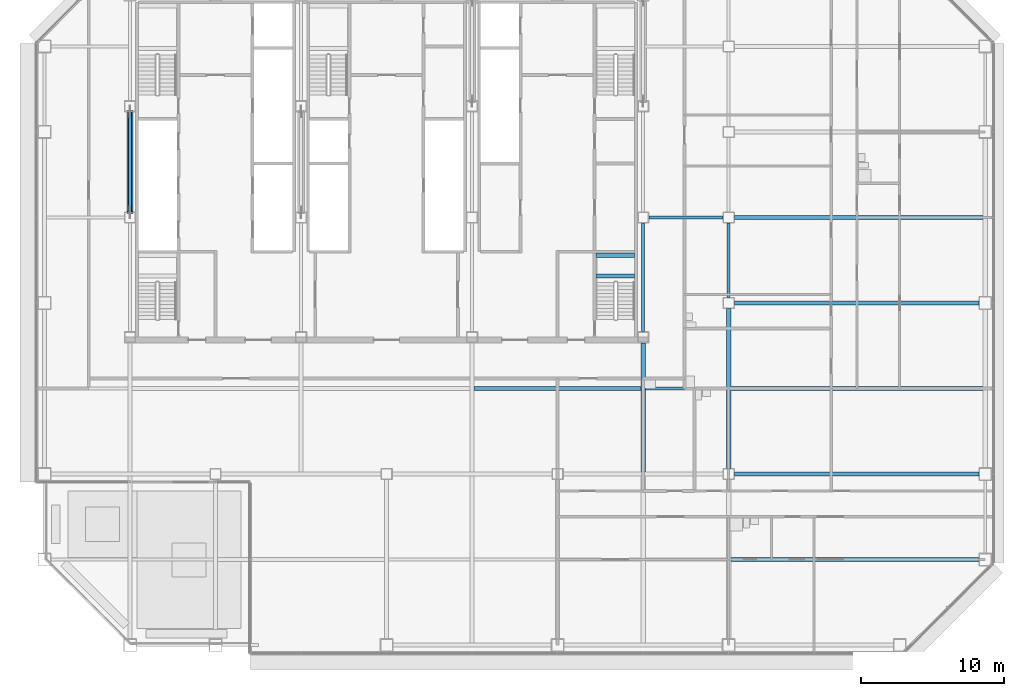
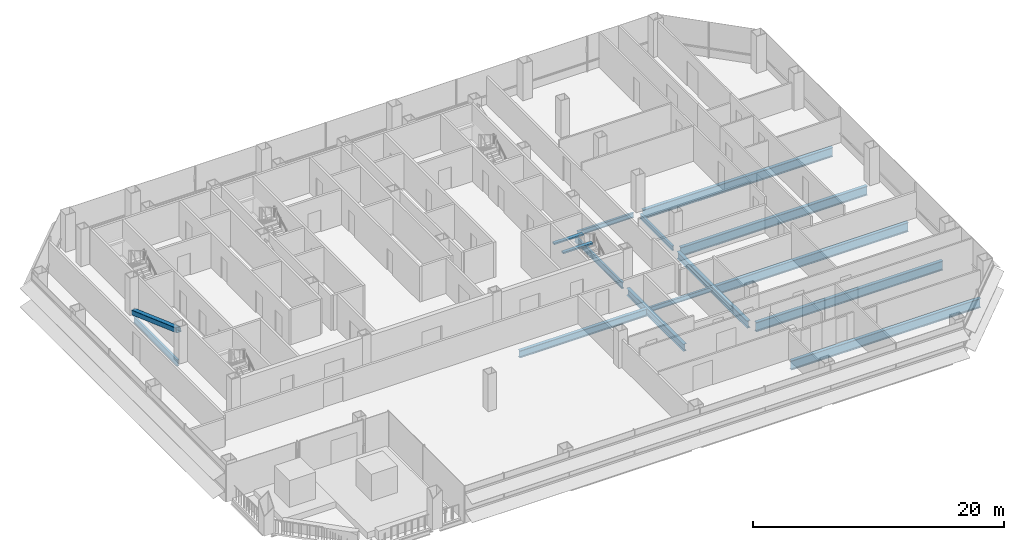
# One storey, part 10 of 28: 15 beams, 1 member.
"""IFC4 building model written with IfcOpenShell, lengths in metres."""

from ifc_helpers import new_model, si_unit, direction, frame, origin, origin_2d, place, context, subcontext, project, spatial, rectangle, hollow_rectangle, i_section, extrude, material, material_profile, profile_set, type_object, element, save


model = new_model("IFC4")

# Units and contexts
model_context = context("Model", 3, precision=1e-05, world=origin(), true_north=direction((0.0, 1.0)))
body_context = subcontext(model_context, "Body", "Model", "MODEL_VIEW")
ifc_project = project(units=[si_unit("LENGTHUNIT", "METRE"), si_unit("AREAUNIT", "SQUARE_METRE"), si_unit("VOLUMEUNIT", "CUBIC_METRE"), si_unit("PLANEANGLEUNIT", "RADIAN"), si_unit("MASSUNIT", "GRAM", prefix="KILO")], contexts=[model_context])

# Site, building, storey
site_placement = place(None, origin())
site = spatial("IfcSite", under=ifc_project, at=site_placement, CompositionType="ELEMENT")
building_placement = place(site_placement, origin())
building = spatial("IfcBuilding", under=site, at=building_placement, Name="Sorahane Residences", CompositionType="ELEMENT")
storey_placement = place(building_placement, frame((0.0, 0.0, 60.60009765625)))
storey = spatial("IfcBuildingStorey", under=building, at=storey_placement, Name="L11", CompositionType="ELEMENT", Elevation=60.60009765625)

# Member
ifc_material_1 = material(Name="Steel Q355B", Category="steel")
ifc_material_profile_1 = material_profile(ifc_material_1, hollow_rectangle(XDim=0.449951171875, YDim=0.449951171875, WallThickness=0.02197265625, InnerFilletRadius=0.010986328125, OuterFilletRadius=0.032958984375, at=origin_2d()), Name="RHS 450x450x22")
ifc_profile_set_1 = profile_set([ifc_material_profile_1], Name="Steel Q355B")
member_type = type_object("IfcMemberType", Name="Core brace RHS 450x450x22 Q355B", PredefinedType="BRACE", material=ifc_profile_set_1)
member_placement = place(storey_placement, frame((6.0, 37.44580078125, 0.20849609375), z_axis=(0.0, -0.940886586011, 0.338721762313), x_axis=(1.0, 0.0, 0.0)))
element("IfcMember", 1, at=member_placement, inside=storey, type_object=member_type, Name="Core brace L11 x6-2", PredefinedType="BRACE", context=body_context, shape_type="SweptSolid", body=[
    extrude(hollow_rectangle(XDim=0.449951171875, YDim=0.449951171875, WallThickness=0.02197265625, InnerFilletRadius=0.010986328125, OuterFilletRadius=0.032958984375, at=origin_2d()), origin(), (0.0, 0.0, 1.0), 7.537109375),
])

# Beams
ifc_material_2 = material(Name="Concrete C40", Category="concrete")
ifc_material_profile_2 = material_profile(ifc_material_2, rectangle(XDim=0.300048828125, YDim=0.139892578125, at=origin_2d()), Name="300x140")
ifc_profile_set_2 = profile_set([ifc_material_profile_2], Name="Concrete C40")
beam_type_1 = type_object("IfcBeamType", Name="RC landing beam 300 x 140 Concrete C40", PredefinedType="BEAM", material=ifc_profile_set_2)
for number, where, z_axis, x_axis, name in (
    (2, (38.699951171875, 25.89990234375, 1.52978515625), (1.0, 0.0, 0.0), (0.0, 1.0, 0.0), "Landing beam"),
    (3, (38.699951171875, 27.35009765625, 1.52978515625), (1.0, 0.0, 0.0), (0.0, 1.0, 0.0), "Landing beam"),
):
    element("IfcBeam", number, at=place(storey_placement, frame(where, z_axis=z_axis, x_axis=x_axis)), inside=storey, type_object=beam_type_1, Name=name, PredefinedType="BEAM", context=body_context, shape_type="SweptSolid", body=[
        extrude(rectangle(XDim=0.300048828125, YDim=0.139892578125, at=origin_2d()), origin(), (0.0, 0.0, 1.0), 2.699951171875),
    ])
ifc_material_3 = material(Name="Steel Q355B", Category="steel")
ifc_material_profile_3 = material_profile(ifc_material_3, i_section(OverallWidth=0.199951171875, OverallDepth=0.449951171875, WebThickness=0.009033203125, FlangeThickness=0.013916015625, FilletRadius=0.02001953125, at=origin_2d()), Name="HN 450x200x9x14")
ifc_profile_set_3 = profile_set([ifc_material_profile_3], Name="Steel Q355B")
beam_type_2 = type_object("IfcBeamType", Name="Steel floor beam HN 450x200x9x14 Q355B", PredefinedType="BEAM", material=ifc_profile_set_3)
beam_1_placement = place(storey_placement, frame((48.0, 24.39990234375, -0.405029296875), z_axis=(0.0, 1.0, 0.0), x_axis=(-1.0, 0.0, 0.0)))
element("IfcBeam", 4, at=beam_1_placement, inside=storey, type_object=beam_type_2, Name="Beam L11 052", PredefinedType="BEAM", context=body_context, shape_type="SweptSolid", body=[
    extrude(i_section(OverallWidth=0.199951171875, OverallDepth=0.449951171875, WebThickness=0.009033203125, FlangeThickness=0.013916015625, FilletRadius=0.02001953125, at=origin_2d()), origin(), (0.0, 0.0, 1.0), 5.2001953125),
])
beam_2_placement = place(storey_placement, frame((42.14990234375, 18.0, -0.405029296875), z_axis=(1.0, 0.0, 0.0), x_axis=(0.0, 1.0, 0.0)))
element("IfcBeam", 5, at=beam_2_placement, inside=storey, type_object=beam_type_2, Name="Beam L11 072", PredefinedType="BEAM", context=body_context, shape_type="SweptSolid", body=[
    extrude(i_section(OverallWidth=0.199951171875, OverallDepth=0.449951171875, WebThickness=0.009033203125, FlangeThickness=0.013916015625, FilletRadius=0.02001953125, at=origin_2d()), origin(), (0.0, 0.0, 1.0), 5.7001953125),
])
beam_3_placement = place(storey_placement, frame((42.39990234375, 30.0, -0.405029296875), z_axis=(1.0, 0.0, 0.0), x_axis=(0.0, 1.0, 0.0)))
element("IfcBeam", 6, at=beam_3_placement, inside=storey, type_object=beam_type_2, Name="Beam L11 075", PredefinedType="BEAM", context=body_context, shape_type="SweptSolid", body=[
    extrude(i_section(OverallWidth=0.199951171875, OverallDepth=0.449951171875, WebThickness=0.009033203125, FlangeThickness=0.013916015625, FilletRadius=0.02001953125, at=origin_2d()), origin(), (0.0, 0.0, 1.0), 5.2001953125),
])
ifc_material_4 = material(Name="Steel Q355B", Category="steel")
ifc_material_profile_4 = material_profile(ifc_material_4, i_section(OverallWidth=0.199951171875, OverallDepth=0.60009765625, WebThickness=0.010986328125, FlangeThickness=0.01708984375, FilletRadius=0.02392578125, at=origin_2d()), Name="HN 600x200x11x17")
ifc_profile_set_4 = profile_set([ifc_material_profile_4], Name="Steel Q355B")
beam_type_3 = type_object("IfcBeamType", Name="Steel floor beam HN 600x200x11x17 Q355B", PredefinedType="BEAM", material=ifc_profile_set_4)
beam_4_placement = place(storey_placement, frame((6.0, 30.39990234375, -0.47998046875), z_axis=(0.0, 1.0, 0.0), x_axis=(-1.0, 0.0, 0.0)))
element("IfcBeam", 7, at=beam_4_placement, inside=storey, type_object=beam_type_3, Name="Beam L11 024", PredefinedType="BEAM", context=body_context, shape_type="SweptSolid", body=[
    extrude(i_section(OverallWidth=0.199951171875, OverallDepth=0.60009765625, WebThickness=0.010986328125, FlangeThickness=0.01708984375, FilletRadius=0.02392578125, at=origin_2d()), origin(), (0.0, 0.0, 1.0), 7.0),
])
beam_5_placement = place(storey_placement, frame((42.0, 22.0, -0.47998046875), z_axis=(0.0, 1.0, 0.0), x_axis=(-1.0, 0.0, 0.0)))
element("IfcBeam", 8, at=beam_5_placement, inside=storey, type_object=beam_type_3, Name="Beam L11 046", PredefinedType="BEAM", context=body_context, shape_type="SweptSolid", body=[
    extrude(i_section(OverallWidth=0.199951171875, OverallDepth=0.60009765625, WebThickness=0.010986328125, FlangeThickness=0.01708984375, FilletRadius=0.02392578125, at=origin_2d()), origin(), (0.0, 0.0, 1.0), 7.60009765625),
])
ifc_material_5 = material(Name="Steel Q355B", Category="steel")
ifc_material_profile_5 = material_profile(ifc_material_5, i_section(OverallWidth=0.300048828125, OverallDepth=0.699951171875, WebThickness=0.012939453125, FlangeThickness=0.02392578125, FilletRadius=0.028076171875, at=origin_2d()), Name="HN 700x300x13x24")
ifc_profile_set_5 = profile_set([ifc_material_profile_5], Name="Steel Q355B")
beam_type_4 = type_object("IfcBeamType", Name="Steel floor beam HN 700x300x13x24 Q355B", PredefinedType="BEAM", material=ifc_profile_set_5)
beam_6_placement = place(storey_placement, frame((42.0, 12.14990234375, -0.530029296875), z_axis=(0.0, 1.0, 0.0), x_axis=(-1.0, 0.0, 0.0)))
element("IfcBeam", 9, at=beam_6_placement, inside=storey, type_object=beam_type_4, Name="Beam L11 045", PredefinedType="BEAM", context=body_context, shape_type="SweptSolid", body=[
    extrude(i_section(OverallWidth=0.300048828125, OverallDepth=0.699951171875, WebThickness=0.012939453125, FlangeThickness=0.02392578125, FilletRadius=0.028076171875, at=origin_2d()), origin(), (0.0, 0.0, 1.0), 9.050048828125),
])
beam_7_placement = place(storey_placement, frame((48.0, 12.39990234375, -0.530029296875), z_axis=(0.0, 1.0, 0.0), x_axis=(-1.0, 0.0, 0.0)))
element("IfcBeam", 10, at=beam_7_placement, inside=storey, type_object=beam_type_4, Name="Beam L11 051", PredefinedType="BEAM", context=body_context, shape_type="SweptSolid", body=[
    extrude(i_section(OverallWidth=0.300048828125, OverallDepth=0.699951171875, WebThickness=0.012939453125, FlangeThickness=0.02392578125, FilletRadius=0.028076171875, at=origin_2d()), origin(), (0.0, 0.0, 1.0), 11.2001953125),
])
beam_8_placement = place(storey_placement, frame((30.14990234375, 18.0, -0.530029296875), z_axis=(1.0, 0.0, 0.0), x_axis=(0.0, 1.0, 0.0)))
element("IfcBeam", 11, at=beam_8_placement, inside=storey, type_object=beam_type_4, Name="Beam L11 071", PredefinedType="BEAM", context=body_context, shape_type="SweptSolid", body=[
    extrude(i_section(OverallWidth=0.300048828125, OverallDepth=0.699951171875, WebThickness=0.012939453125, FlangeThickness=0.02392578125, FilletRadius=0.028076171875, at=origin_2d()), origin(), (0.0, 0.0, 1.0), 11.7001953125),
])
ifc_material_6 = material(Name="Steel Q355B", Category="steel")
ifc_material_profile_6 = material_profile(ifc_material_6, i_section(OverallWidth=0.300048828125, OverallDepth=0.89990234375, WebThickness=0.01611328125, FlangeThickness=0.028076171875, FilletRadius=0.028076171875, at=origin_2d()), Name="HN 900x300x16x28")
ifc_profile_set_6 = profile_set([ifc_material_profile_6], Name="Steel Q355B")
beam_type_5 = type_object("IfcBeamType", Name="Steel floor beam HN 900x300x16x28 Q355B", PredefinedType="BEAM", material=ifc_profile_set_6)
for number, where, z_axis, x_axis, name in (
    (12, (48.39990234375, 12.0, -0.630126953125), (1.0, 0.0, 0.0), (0.0, 1.0, 0.0), "Beam L11 009"),
    (13, (48.39990234375, 24.0, -0.630126953125), (1.0, 0.0, 0.0), (0.0, 1.0, 0.0), "Beam L11 010"),
):
    element("IfcBeam", number, at=place(storey_placement, frame(where, z_axis=z_axis, x_axis=x_axis)), inside=storey, type_object=beam_type_5, Name=name, PredefinedType="BEAM", context=body_context, shape_type="SweptSolid", body=[
        extrude(i_section(OverallWidth=0.300048828125, OverallDepth=0.89990234375, WebThickness=0.01611328125, FlangeThickness=0.028076171875, FilletRadius=0.028076171875, at=origin_2d()), origin(), (0.0, 0.0, 1.0), 17.150146484375),
    ])
beam_9_placement = place(storey_placement, frame((48.14990234375, 6.0, -0.630126953125), z_axis=(1.0, 0.0, 0.0), x_axis=(0.0, 1.0, 0.0)))
element("IfcBeam", 14, at=beam_9_placement, inside=storey, type_object=beam_type_5, Name="Beam L11 067", PredefinedType="BEAM", context=body_context, shape_type="SweptSolid", body=[
    extrude(i_section(OverallWidth=0.300048828125, OverallDepth=0.89990234375, WebThickness=0.01611328125, FlangeThickness=0.028076171875, FilletRadius=0.028076171875, at=origin_2d()), origin(), (0.0, 0.0, 1.0), 17.400146484375),
])
beam_10_placement = place(storey_placement, frame((48.14990234375, 18.0, -0.630126953125), z_axis=(1.0, 0.0, 0.0), x_axis=(0.0, 1.0, 0.0)))
element("IfcBeam", 15, at=beam_10_placement, inside=storey, type_object=beam_type_5, Name="Beam L11 073", PredefinedType="BEAM", context=body_context, shape_type="SweptSolid", body=[
    extrude(i_section(OverallWidth=0.300048828125, OverallDepth=0.89990234375, WebThickness=0.01611328125, FlangeThickness=0.028076171875, FilletRadius=0.028076171875, at=origin_2d()), origin(), (0.0, 0.0, 1.0), 17.7001953125),
])
beam_11_placement = place(storey_placement, frame((48.39990234375, 30.0, -0.630126953125), z_axis=(1.0, 0.0, 0.0), x_axis=(0.0, 1.0, 0.0)))
element("IfcBeam", 16, at=beam_11_placement, inside=storey, type_object=beam_type_5, Name="Beam L11 076", PredefinedType="BEAM", context=body_context, shape_type="SweptSolid", body=[
    extrude(i_section(OverallWidth=0.300048828125, OverallDepth=0.89990234375, WebThickness=0.01611328125, FlangeThickness=0.028076171875, FilletRadius=0.028076171875, at=origin_2d()), origin(), (0.0, 0.0, 1.0), 17.4501953125),
])

save(model, "model.ifc")
